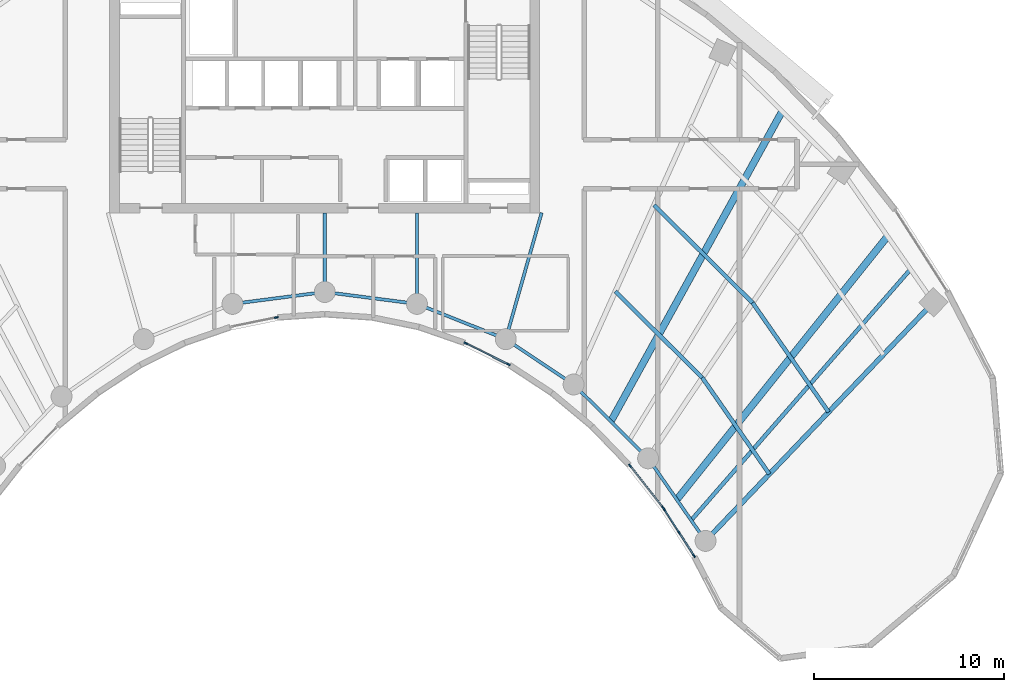
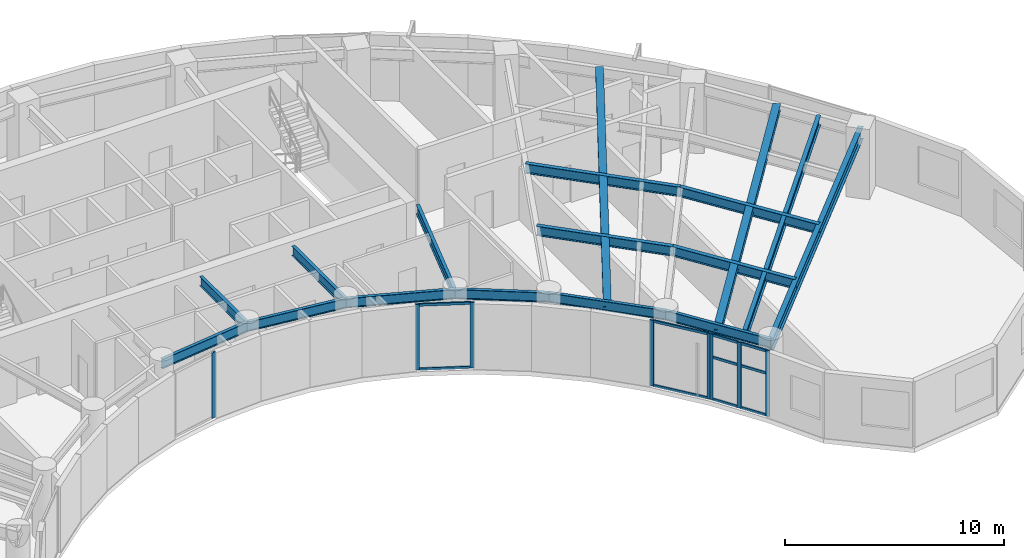
# One storey, part 3 of 13: 18 members, 17 beams, 4 elements without a shape of their own.
"""IFC4 building model written with IfcOpenShell, lengths in metres."""

from ifc_helpers import new_model, si_unit, direction, frame, origin, origin_2d, place, context, subcontext, project, spatial, rectangle, i_section, extrude, source, transform, mapped, material, layer, layer_set, material_profile, profile_set, type_object, type_shapes, element, aggregate, save


model = new_model("IFC4")

# Units and contexts
model_context = context("Model", 3, precision=1e-05, world=origin(), true_north=direction((0.0, 1.0)))
body_context = subcontext(model_context, "Body", "Model", "MODEL_VIEW")
ifc_project = project(units=[si_unit("LENGTHUNIT", "METRE"), si_unit("AREAUNIT", "SQUARE_METRE"), si_unit("VOLUMEUNIT", "CUBIC_METRE"), si_unit("PLANEANGLEUNIT", "RADIAN"), si_unit("MASSUNIT", "GRAM", prefix="KILO")], contexts=[model_context])

# Site, building, storey
site_placement = place(None, origin())
site = spatial("IfcSite", under=ifc_project, at=site_placement, CompositionType="ELEMENT")
building_placement = place(site_placement, origin())
building = spatial("IfcBuilding", under=site, at=building_placement, Name="Breltana Convention Tower", CompositionType="ELEMENT")
storey_placement = place(building_placement, frame((0.0, 0.0, 181.800048828125)))
storey = spatial("IfcBuildingStorey", under=building, at=storey_placement, Name="L44", CompositionType="ELEMENT", Elevation=181.800048828125)

# Beams
ifc_material_1 = material(Name="Steel ASTM A992 Grade 50", Category="steel")
ifc_material_profile_1 = material_profile(ifc_material_1, i_section(OverallWidth=0.2099609375, OverallDepth=0.537109375, WebThickness=0.010986328125, FlangeThickness=0.017333984375, at=origin_2d()), Name="W21X68")
ifc_profile_set_1 = profile_set([ifc_material_profile_1], Name="Steel ASTM A992 Grade 50")
beam_type_1 = type_object("IfcBeamType", Name="BM-JSG-04", PredefinedType="JOIST", material=ifc_profile_set_1)
shared_shape_1 = source(origin(), body_context, "Body", "SweptSolid", [
    extrude(i_section(OverallWidth=0.2099609375, OverallDepth=0.537109375, WebThickness=0.010986328125, FlangeThickness=0.017333984375, at=origin_2d()), origin(), (0.0, 0.0, 1.0), 6.435302734375),
])
beam_1_placement = place(storey_placement, frame((63.27392578125, 56.06298828125, 3.38134765625), z_axis=(0.710116389828, -0.704084308089, 0.0), x_axis=(0.704084308089, 0.710116389828, 0.0)))
element("IfcBeam", 1, at=beam_1_placement, inside=storey, type_object=beam_type_1, Name="L44 Composite Floor Joist 09.1", PredefinedType="JOIST", context=body_context, shape_type="MappedRepresentation", body=[
    mapped(shared_shape_1, transform((0.0, 0.0, 0.0), scale=1.0)),
])
shared_shape_2 = source(origin(), body_context, "Body", "SweptSolid", [
    extrude(i_section(OverallWidth=0.2099609375, OverallDepth=0.537109375, WebThickness=0.010986328125, FlangeThickness=0.017333984375, at=origin_2d()), origin(), (0.0, 0.0, 1.0), 7.29296875),
])
beam_2_placement = place(storey_placement, frame((65.309326171875, 60.602294921875, 3.38134765625), z_axis=(0.710096551013, -0.704104316305, 0.0), x_axis=(0.704104316305, 0.710096551013, 0.0)))
element("IfcBeam", 2, at=beam_2_placement, inside=storey, type_object=beam_type_1, Name="L44 Composite Floor Joist 09.2", PredefinedType="JOIST", context=body_context, shape_type="MappedRepresentation", body=[
    mapped(shared_shape_2, transform((0.0, 0.0, 0.0), scale=1.0)),
])
ifc_material_profile_2 = material_profile(ifc_material_1, i_section(OverallWidth=0.368896484375, OverallDepth=0.35595703125, WebThickness=0.01123046875, FlangeThickness=0.01806640625, at=origin_2d()), Name="W14X90")
ifc_profile_set_2 = profile_set([ifc_material_profile_2], Name="Steel ASTM A992 Grade 50")
beam_type_2 = type_object("IfcBeamType", Name="BM-JSG-09", PredefinedType="JOIST", material=ifc_profile_set_2)
shared_shape_3 = source(origin(), body_context, "Body", "SweptSolid", [
    extrude(i_section(OverallWidth=0.368896484375, OverallDepth=0.35595703125, WebThickness=0.01123046875, FlangeThickness=0.01806640625, at=origin_2d()), origin(), (0.0, 0.0, 1.0), 18.617431640625),
])
beam_3_placement = place(storey_placement, frame((63.038818359375, 49.234130859375, 3.471923828125), z_axis=(0.483405602507, 0.875396495004, 0.0), x_axis=(-0.875396495004, 0.483405602507, 0.0)))
element("IfcBeam", 3, at=beam_3_placement, inside=storey, type_object=beam_type_2, Name="L44 Mid-Bay Radial Trimmer 09", PredefinedType="JOIST", context=body_context, shape_type="MappedRepresentation", body=[
    mapped(shared_shape_3, transform((0.0, 0.0, 0.0), scale=1.0)),
])
shared_shape_4 = source(origin(), body_context, "Body", "SweptSolid", [
    extrude(i_section(OverallWidth=0.2099609375, OverallDepth=0.537109375, WebThickness=0.010986328125, FlangeThickness=0.017333984375, at=origin_2d()), origin(), (0.0, 0.0, 1.0), 6.172119140625),
])
beam_4_placement = place(storey_placement, frame((67.84375, 51.531982421875, 3.38134765625), z_axis=(0.571211663392, -0.820802799462, 0.0), x_axis=(0.820802799462, 0.571211663392, 0.0)))
element("IfcBeam", 4, at=beam_4_placement, inside=storey, type_object=beam_type_1, Name="L44 Composite Floor Joist 10.1", PredefinedType="JOIST", context=body_context, shape_type="MappedRepresentation", body=[
    mapped(shared_shape_4, transform((0.0, 0.0, 0.0), scale=1.0)),
])
shared_shape_5 = source(origin(), body_context, "Body", "SweptSolid", [
    extrude(i_section(OverallWidth=0.2099609375, OverallDepth=0.537109375, WebThickness=0.010986328125, FlangeThickness=0.017333984375, at=origin_2d()), origin(), (0.0, 0.0, 1.0), 6.99462890625),
])
beam_5_placement = place(storey_placement, frame((70.488037109375, 55.46728515625, 3.38134765625), z_axis=(0.571206630732, -0.820806301759, 0.0), x_axis=(0.820806301759, 0.571206630732, 0.0)))
element("IfcBeam", 5, at=beam_5_placement, inside=storey, type_object=beam_type_1, Name="L44 Composite Floor Joist 10.2", PredefinedType="JOIST", context=body_context, shape_type="MappedRepresentation", body=[
    mapped(shared_shape_5, transform((0.0, 0.0, 0.0), scale=1.0)),
])
shared_shape_6 = source(origin(), body_context, "Body", "SweptSolid", [
    extrude(i_section(OverallWidth=0.368896484375, OverallDepth=0.35595703125, WebThickness=0.01123046875, FlangeThickness=0.01806640625, at=origin_2d()), origin(), (0.0, 0.0, 1.0), 17.7236328125),
])
beam_6_placement = place(storey_placement, frame((66.505615234375, 45.124267578125, 3.471923828125), z_axis=(0.624829427563, 0.78076128647, 0.0), x_axis=(-0.78076128647, 0.624829427563, 0.0)))
element("IfcBeam", 6, at=beam_6_placement, inside=storey, type_object=beam_type_2, Name="L44 Mid-Bay Radial Trimmer 10", PredefinedType="JOIST", context=body_context, shape_type="MappedRepresentation", body=[
    mapped(shared_shape_6, transform((0.0, 0.0, 0.0), scale=1.0)),
])
shared_shape_7 = source(origin(), body_context, "Body", "SweptSolid", [
    extrude(i_section(OverallWidth=0.2099609375, OverallDepth=0.537109375, WebThickness=0.010986328125, FlangeThickness=0.017333984375, at=origin_2d()), origin(), (0.0, 0.0, 1.0), 17.515625),
])
beam_7_placement = place(storey_placement, frame((67.260498046875, 44.03955078125, 3.38134765625), z_axis=(0.658051548324, 0.752972881151, 0.0), x_axis=(-0.752972881151, 0.658051548324, 0.0)))
element("IfcBeam", 7, at=beam_7_placement, inside=storey, type_object=beam_type_1, Name="L44 Quarter-Bay Radial Trimmer 10", PredefinedType="JOIST", context=body_context, shape_type="MappedRepresentation", body=[
    mapped(shared_shape_7, transform((0.0, 0.0, 0.0), scale=1.0)),
])
ifc_material_profile_3 = material_profile(ifc_material_1, i_section(OverallWidth=0.25390625, OverallDepth=0.68798828125, WebThickness=0.01318359375, FlangeThickness=0.02099609375, at=origin_2d()), Name="W27X102")
ifc_profile_set_3 = profile_set([ifc_material_profile_3], Name="Steel ASTM A992 Grade 50")
beam_type_3 = type_object("IfcBeamType", Name="BM-RG-W27X102", PredefinedType="USERDEFINED", material=ifc_profile_set_3)
shared_shape_8 = source(origin(), body_context, "Body", "SweptSolid", [
    extrude(i_section(OverallWidth=0.25390625, OverallDepth=0.68798828125, WebThickness=0.01318359375, FlangeThickness=0.02099609375, at=origin_2d()), origin(), (0.0, 0.0, 1.0), 17.341064453125),
])
type_shapes(beam_type_3, [shared_shape_8])
beam_8_placement = place(storey_placement, frame((68.015380859375, 42.95458984375, 3.305908203125), z_axis=(0.690716462293, 0.723125693581, 0.0), x_axis=(-0.723125693581, 0.690716462293, 0.0)))
element("IfcBeam", 8, at=beam_8_placement, inside=storey, type_object=beam_type_3, Name="L44 Radial Floor Girder R11", ObjectType="GIRDER", PredefinedType="USERDEFINED", context=body_context, shape_type="MappedRepresentation", body=[
    mapped(shared_shape_8, transform((0.0, 0.0, 0.0), scale=1.0)),
])
ifc_material_profile_4 = material_profile(ifc_material_1, i_section(OverallWidth=0.166015625, OverallDepth=0.534912109375, WebThickness=0.01025390625, FlangeThickness=0.0166015625, at=origin_2d()), Name="W21X57")
ifc_profile_set_4 = profile_set([ifc_material_profile_4], Name="Steel ASTM A992 Grade 50")
beam_type_4 = type_object("IfcBeamType", Name="BM-BM-W21X57", PredefinedType="BEAM", material=ifc_profile_set_4)
shared_shape_9 = source(origin(), body_context, "Body", "SweptSolid", [
    extrude(i_section(OverallWidth=0.166015625, OverallDepth=0.534912109375, WebThickness=0.01025390625, FlangeThickness=0.0166015625, at=origin_2d()), origin(), (0.0, 0.0, 1.0), 6.904541015625),
])
type_shapes(beam_type_4, [shared_shape_9])
beam_9_placement = place(storey_placement, frame((59.39990234375, 60.199951171875, 3.382568359375), z_axis=(-0.273006781054, -0.962012108811, 0.0), x_axis=(0.962012108811, -0.273006781054, 0.0)))
element("IfcBeam", 9, at=beam_9_placement, inside=storey, type_object=beam_type_4, Name="L44 South Core Tie Girder R08", PredefinedType="BEAM", context=body_context, shape_type="MappedRepresentation", body=[
    mapped(shared_shape_9, transform((0.0, 0.0, 0.0), scale=1.0)),
])
shared_shape_10 = source(origin(), body_context, "Body", "SweptSolid", [
    extrude(i_section(OverallWidth=0.166015625, OverallDepth=0.534912109375, WebThickness=0.01025390625, FlangeThickness=0.0166015625, at=origin_2d()), origin(), (0.0, 0.0, 1.0), 4.789306640625),
])
beam_10_placement = place(storey_placement, frame((52.846435546875, 60.199951171875, 3.382568359375), z_axis=(0.0, -1.0, 0.0), x_axis=(1.0, 0.0, 0.0)))
element("IfcBeam", 10, at=beam_10_placement, inside=storey, type_object=beam_type_4, Name="L44 South Core Tie Girder R07", PredefinedType="BEAM", context=body_context, shape_type="MappedRepresentation", body=[
    mapped(shared_shape_10, transform((0.0, 0.0, 0.0), scale=1.0)),
])
shared_shape_11 = source(origin(), body_context, "Body", "SweptSolid", [
    extrude(i_section(OverallWidth=0.166015625, OverallDepth=0.534912109375, WebThickness=0.01025390625, FlangeThickness=0.0166015625, at=origin_2d()), origin(), (0.0, 0.0, 1.0), 4.1640625),
])
beam_11_placement = place(storey_placement, frame((48.0, 60.199951171875, 3.382568359375), z_axis=(0.0, -1.0, 0.0), x_axis=(1.0, 0.0, 0.0)))
element("IfcBeam", 11, at=beam_11_placement, inside=storey, type_object=beam_type_4, Name="L44 South Core Tie Girder R06", PredefinedType="BEAM", context=body_context, shape_type="MappedRepresentation", body=[
    mapped(shared_shape_11, transform((0.0, 0.0, 0.0), scale=1.0)),
])
shared_shape_12 = source(origin(), body_context, "Body", "SweptSolid", [
    extrude(i_section(OverallWidth=0.166015625, OverallDepth=0.534912109375, WebThickness=0.01025390625, FlangeThickness=0.0166015625, at=origin_2d()), origin(), (0.0, 0.0, 1.0), 5.022705078125),
])
beam_12_placement = place(storey_placement, frame((52.846435546875, 55.41064453125, 3.382568359375), z_axis=(0.929458966248, -0.368925507469, 0.0), x_axis=(0.368925507469, 0.929458966248, 0.0)))
element("IfcBeam", 12, at=beam_12_placement, inside=storey, type_object=beam_type_4, Name="L44 Inner Ring Beam 07", PredefinedType="BEAM", context=body_context, shape_type="MappedRepresentation", body=[
    mapped(shared_shape_12, transform((0.0, 0.0, 0.0), scale=1.0)),
])
shared_shape_13 = source(origin(), body_context, "Body", "SweptSolid", [
    extrude(i_section(OverallWidth=0.166015625, OverallDepth=0.534912109375, WebThickness=0.01025390625, FlangeThickness=0.0166015625, at=origin_2d()), origin(), (0.0, 0.0, 1.0), 4.88671875),
])
for number, where, z_axis, x_axis, name in (
    (13, (43.153564453125, 55.41064453125, 3.382568359375), (0.991780525565, 0.127950729231, 0.0), (-0.127950729231, 0.991780525565, 0.0), "L44 Inner Ring Beam 05"),
    (14, (48.0, 56.035888671875, 3.382568359375), (0.991780525565, -0.127950729231, 0.0), (0.127950729231, 0.991780525565, 0.0), "L44 Inner Ring Beam 06"),
):
    element("IfcBeam", number, at=place(storey_placement, frame(where, z_axis=z_axis, x_axis=x_axis)), inside=storey, type_object=beam_type_4, Name=name, PredefinedType="BEAM", context=body_context, shape_type="MappedRepresentation", body=[
        mapped(shared_shape_13, transform((0.0, 0.0, 0.0), scale=1.0)),
    ])
shared_shape_14 = source(origin(), body_context, "Body", "SweptSolid", [
    extrude(i_section(OverallWidth=0.166015625, OverallDepth=0.534912109375, WebThickness=0.01025390625, FlangeThickness=0.0166015625, at=origin_2d()), origin(), (0.0, 0.0, 1.0), 4.2900390625),
])
beam_13_placement = place(storey_placement, frame((57.514892578125, 53.5576171875, 3.382568359375), z_axis=(0.831515827753, -0.555501060482, 0.0), x_axis=(0.555501060482, 0.831515827753, 0.0)))
element("IfcBeam", 15, at=beam_13_placement, inside=storey, type_object=beam_type_4, Name="L44 Inner Ring Beam 08", PredefinedType="BEAM", context=body_context, shape_type="MappedRepresentation", body=[
    mapped(shared_shape_14, transform((0.0, 0.0, 0.0), scale=1.0)),
])
shared_shape_15 = source(origin(), body_context, "Body", "SweptSolid", [
    extrude(i_section(OverallWidth=0.166015625, OverallDepth=0.534912109375, WebThickness=0.01025390625, FlangeThickness=0.0166015625, at=origin_2d()), origin(), (0.0, 0.0, 1.0), 5.51171875),
])
beam_14_placement = place(storey_placement, frame((61.08203125, 51.174560546875, 3.382568359375), z_axis=(0.710090360749, -0.704110559196, 0.0), x_axis=(0.704110559196, 0.710090360749, 0.0)))
element("IfcBeam", 16, at=beam_14_placement, inside=storey, type_object=beam_type_4, Name="L44 Inner Ring Beam 09", PredefinedType="BEAM", context=body_context, shape_type="MappedRepresentation", body=[
    mapped(shared_shape_15, transform((0.0, 0.0, 0.0), scale=1.0)),
])
shared_shape_16 = source(origin(), body_context, "Body", "SweptSolid", [
    extrude(i_section(OverallWidth=0.166015625, OverallDepth=0.534912109375, WebThickness=0.01025390625, FlangeThickness=0.0166015625, at=origin_2d()), origin(), (0.0, 0.0, 1.0), 5.286376953125),
])
beam_15_placement = place(storey_placement, frame((64.995849609375, 47.293701171875, 3.382568359375), z_axis=(0.571194382458, -0.82081482531, 0.0), x_axis=(0.82081482531, 0.571194382458, 0.0)))
element("IfcBeam", 17, at=beam_15_placement, inside=storey, type_object=beam_type_4, Name="L44 Inner Ring Beam 10", PredefinedType="BEAM", context=body_context, shape_type="MappedRepresentation", body=[
    mapped(shared_shape_16, transform((0.0, 0.0, 0.0), scale=1.0)),
])

# Curtain wall, members
ifc_material_2 = material(Name="Aluminium Anodised Bronze Frame", Category="aluminium")
ifc_layer = layer(ifc_material_2, 0.18994140625, Name="Aluminium Anodised Bronze Frame")
ifc_layer_set = layer_set([ifc_layer], Name="Aluminium Anodised Bronze Frame")
curtain_wall_type = type_object("IfcCurtainWallType", Name="CW-SYS-1", PredefinedType="NOTDEFINED", material=ifc_layer_set)
curtain_wall_1_placement = place(storey_placement, origin())
curtain_wall_1 = element("IfcCurtainWall", 18, at=curtain_wall_1_placement, inside=storey, type_object=curtain_wall_type, Name="L44 inner south-court glazing 1", PredefinedType="NOTDEFINED")
ifc_material_3 = material(Name="Aluminium Anodised Bronze", Category="aluminium")
ifc_material_profile_5 = material_profile(ifc_material_3, rectangle(XDim=0.080078125, YDim=0.199951171875, at=origin_2d()), Name="CWM-80X200")
ifc_profile_set_5 = profile_set([ifc_material_profile_5], Name="Aluminium Anodised Bronze")
member_type_1 = type_object("IfcMemberType", Name="CWM-200", PredefinedType="MULLION", material=ifc_profile_set_5)
shared_shape_17 = source(origin(), body_context, "Body", "SweptSolid", [
    extrude(rectangle(XDim=0.080078125, YDim=0.199951171875, at=origin_2d()), origin(), (0.0, 0.0, 1.0), 3.64990234375),
])
member_1_placement = place(storey_placement, frame((67.40966796875, 42.17041015625, 0.0), z_axis=(0.0, 0.0, 1.0), x_axis=(-0.841546744491, -0.540184298954, 0.0)))
member_1 = element("IfcMember", 19, at=member_1_placement, type_object=member_type_1, Name="CW-01 mullion 1", PredefinedType="MULLION", context=body_context, shape_type="MappedRepresentation", body=[
    mapped(shared_shape_17, transform((0.0, 0.0, 0.0), scale=1.0)),
])
member_2_placement = place(storey_placement, frame((66.626220703125, 43.390869140625, 0.0), z_axis=(0.0, 0.0, 1.0), x_axis=(-0.841546744491, -0.540184298954, 0.0)))
member_2 = element("IfcMember", 20, at=member_2_placement, type_object=member_type_1, Name="CW-01 mullion 2", PredefinedType="MULLION", context=body_context, shape_type="MappedRepresentation", body=[
    mapped(shared_shape_17, transform((0.0, 0.0, 0.0), scale=1.0)),
])
member_3_placement = place(storey_placement, frame((65.843017578125, 44.611328125, 0.0), z_axis=(0.0, 0.0, 1.0), x_axis=(-0.841546744491, -0.540184298954, 0.0)))
member_3 = element("IfcMember", 21, at=member_3_placement, type_object=member_type_1, Name="CW-01 mullion 3", PredefinedType="MULLION", context=body_context, shape_type="MappedRepresentation", body=[
    mapped(shared_shape_17, transform((0.0, 0.0, 0.0), scale=1.0)),
])

curtain_wall_2_placement = place(storey_placement, origin())
curtain_wall_2 = element("IfcCurtainWall", 22, at=curtain_wall_2_placement, inside=storey, type_object=curtain_wall_type, Name="L44 inner south-court glazing 2", PredefinedType="NOTDEFINED")
member_4_placement = place(storey_placement, frame((65.78662109375, 44.6904296875, 0.0), z_axis=(0.0, 0.0, 1.0), x_axis=(-0.786051168431, -0.618161435717, 0.0)))
member_4 = element("IfcMember", 23, at=member_4_placement, type_object=member_type_1, Name="CW-01 mullion 1", PredefinedType="MULLION", context=body_context, shape_type="MappedRepresentation", body=[
    mapped(shared_shape_17, transform((0.0, 0.0, 0.0), scale=1.0)),
])
member_5_placement = place(storey_placement, frame((64.045166015625, 46.905029296875, 0.0), z_axis=(0.0, 0.0, 1.0), x_axis=(-0.786051168431, -0.618161435717, 0.0)))
member_5 = element("IfcMember", 24, at=member_5_placement, type_object=member_type_1, Name="CW-01 mullion 2", PredefinedType="MULLION", context=body_context, shape_type="MappedRepresentation", body=[
    mapped(shared_shape_17, transform((0.0, 0.0, 0.0), scale=1.0)),
])

curtain_wall_3_placement = place(storey_placement, origin())
curtain_wall_3 = element("IfcCurtainWall", 25, at=curtain_wall_3_placement, inside=storey, type_object=curtain_wall_type, Name="L44 inner south-court glazing 3", PredefinedType="NOTDEFINED")
member_6_placement = place(storey_placement, frame((57.65625, 52.23095703125, 0.0), z_axis=(0.0, 0.0, 1.0), x_axis=(-0.444115496562, -0.895969545082, 0.0)))
member_6 = element("IfcMember", 26, at=member_6_placement, type_object=member_type_1, Name="CW-01 mullion 1", PredefinedType="MULLION", context=body_context, shape_type="MappedRepresentation", body=[
    mapped(shared_shape_17, transform((0.0, 0.0, 0.0), scale=1.0)),
])
member_7_placement = place(storey_placement, frame((55.412353515625, 53.34326171875, 0.0), z_axis=(0.0, 0.0, 1.0), x_axis=(-0.444115496562, -0.895969545082, 0.0)))
member_7 = element("IfcMember", 27, at=member_7_placement, type_object=member_type_1, Name="CW-01 mullion 2", PredefinedType="MULLION", context=body_context, shape_type="MappedRepresentation", body=[
    mapped(shared_shape_17, transform((0.0, 0.0, 0.0), scale=1.0)),
])

# Curtain wall, member
curtain_wall_4_placement = place(storey_placement, origin())
curtain_wall_4 = element("IfcCurtainWall", 28, at=curtain_wall_4_placement, inside=storey, type_object=curtain_wall_type, Name="L44 inner south-court glazing 4", PredefinedType="NOTDEFINED")
member_8_placement = place(storey_placement, frame((45.458740234375, 54.69677734375, 0.0), z_axis=(0.0, 0.0, 1.0), x_axis=(0.200861178299, -0.979619715529, 0.0)))
member_8 = element("IfcMember", 29, at=member_8_placement, type_object=member_type_1, Name="CW-01 mullion 1", PredefinedType="MULLION", context=body_context, shape_type="MappedRepresentation", body=[
    mapped(shared_shape_17, transform((0.0, 0.0, 0.0), scale=1.0)),
])
aggregate(curtain_wall_4, [member_8])

# Member
ifc_material_profile_6 = material_profile(ifc_material_3, rectangle(XDim=0.080078125, YDim=0.139892578125, at=origin_2d()), Name="CWT-80X140")
ifc_profile_set_6 = profile_set([ifc_material_profile_6], Name="Aluminium Anodised Bronze")
member_type_2 = type_object("IfcMemberType", Name="CWT-140", PredefinedType="USERDEFINED", material=ifc_profile_set_6)
shared_shape_18 = source(origin(), body_context, "Body", "SweptSolid", [
    extrude(rectangle(XDim=0.080078125, YDim=0.139892578125, at=origin_2d()), origin(), (0.0, 0.0, 1.0), 1.3701171875),
])
member_9_placement = place(storey_placement, frame((67.38818359375, 42.2041015625, 0.0400390625), z_axis=(-0.540226175019, 0.841519863, 0.0), x_axis=(-0.841519863, -0.540226175019, 0.0)))
member_9 = element("IfcMember", 30, at=member_9_placement, type_object=member_type_2, Name="CW-01 transom 1.1", ObjectType="TRANSOM", PredefinedType="USERDEFINED", context=body_context, shape_type="MappedRepresentation", body=[
    mapped(shared_shape_18, transform((0.0, 0.0, 0.0), scale=1.0)),
])

member_10_placement = place(storey_placement, frame((67.38818359375, 42.2041015625, 2.37255859375), z_axis=(-0.540226175019, 0.841519863, 0.0), x_axis=(-0.841519863, -0.540226175019, 0.0)))
member_10 = element("IfcMember", 31, at=member_10_placement, type_object=member_type_2, Name="CW-01 transom 1.2", ObjectType="TRANSOM", PredefinedType="USERDEFINED", context=body_context, shape_type="MappedRepresentation", body=[
    mapped(shared_shape_18, transform((0.0, 0.0, 0.0), scale=1.0)),
])

member_11_placement = place(storey_placement, frame((67.38818359375, 42.2041015625, 3.60986328125), z_axis=(-0.540226175019, 0.841519863, 0.0), x_axis=(-0.841519863, -0.540226175019, 0.0)))
member_11 = element("IfcMember", 32, at=member_11_placement, type_object=member_type_2, Name="CW-01 transom 1.3", ObjectType="TRANSOM", PredefinedType="USERDEFINED", context=body_context, shape_type="MappedRepresentation", body=[
    mapped(shared_shape_18, transform((0.0, 0.0, 0.0), scale=1.0)),
])

member_12_placement = place(storey_placement, frame((66.604736328125, 43.424560546875, 0.0400390625), z_axis=(-0.540226175019, 0.841519863, 0.0), x_axis=(-0.841519863, -0.540226175019, 0.0)))
member_12 = element("IfcMember", 33, at=member_12_placement, type_object=member_type_2, Name="CW-01 transom 2.1", ObjectType="TRANSOM", PredefinedType="USERDEFINED", context=body_context, shape_type="MappedRepresentation", body=[
    mapped(shared_shape_18, transform((0.0, 0.0, 0.0), scale=1.0)),
])

member_13_placement = place(storey_placement, frame((66.604736328125, 43.424560546875, 2.37255859375), z_axis=(-0.540226175019, 0.841519863, 0.0), x_axis=(-0.841519863, -0.540226175019, 0.0)))
member_13 = element("IfcMember", 34, at=member_13_placement, type_object=member_type_2, Name="CW-01 transom 2.2", ObjectType="TRANSOM", PredefinedType="USERDEFINED", context=body_context, shape_type="MappedRepresentation", body=[
    mapped(shared_shape_18, transform((0.0, 0.0, 0.0), scale=1.0)),
])

member_14_placement = place(storey_placement, frame((66.604736328125, 43.424560546875, 3.60986328125), z_axis=(-0.540226175019, 0.841519863, 0.0), x_axis=(-0.841519863, -0.540226175019, 0.0)))
member_14 = element("IfcMember", 35, at=member_14_placement, type_object=member_type_2, Name="CW-01 transom 2.3", ObjectType="TRANSOM", PredefinedType="USERDEFINED", context=body_context, shape_type="MappedRepresentation", body=[
    mapped(shared_shape_18, transform((0.0, 0.0, 0.0), scale=1.0)),
])

aggregate(curtain_wall_1, [member_1, member_2, member_3, member_9, member_10, member_11, member_12, member_13, member_14])

shared_shape_19 = source(origin(), body_context, "Body", "SweptSolid", [
    extrude(rectangle(XDim=0.080078125, YDim=0.139892578125, at=origin_2d()), origin(), (0.0, 0.0, 1.0), 2.7373046875),
])
member_15_placement = place(storey_placement, frame((65.761962890625, 44.721923828125, 0.0400390625), z_axis=(-0.618179938224, 0.786036617453, 0.0), x_axis=(-0.786036617453, -0.618179938224, 0.0)))
member_15 = element("IfcMember", 36, at=member_15_placement, type_object=member_type_2, Name="CW-01 transom 1.1", ObjectType="TRANSOM", PredefinedType="USERDEFINED", context=body_context, shape_type="MappedRepresentation", body=[
    mapped(shared_shape_19, transform((0.0, 0.0, 0.0), scale=1.0)),
])

member_16_placement = place(storey_placement, frame((65.761962890625, 44.721923828125, 3.60986328125), z_axis=(-0.618179938224, 0.786036617453, 0.0), x_axis=(-0.786036617453, -0.618179938224, 0.0)))
member_16 = element("IfcMember", 37, at=member_16_placement, type_object=member_type_2, Name="CW-01 transom 1.2", ObjectType="TRANSOM", PredefinedType="USERDEFINED", context=body_context, shape_type="MappedRepresentation", body=[
    mapped(shared_shape_19, transform((0.0, 0.0, 0.0), scale=1.0)),
])

aggregate(curtain_wall_2, [member_4, member_5, member_15, member_16])

shared_shape_20 = source(origin(), body_context, "Body", "SweptSolid", [
    extrude(rectangle(XDim=0.080078125, YDim=0.139892578125, at=origin_2d()), origin(), (0.0, 0.0, 1.0), 2.42431640625),
])
member_17_placement = place(storey_placement, frame((57.620361328125, 52.248779296875, 0.0400390625), z_axis=(-0.895932597015, 0.44419002871, 0.0), x_axis=(-0.44419002871, -0.895932597015, 0.0)))
member_17 = element("IfcMember", 38, at=member_17_placement, type_object=member_type_2, Name="CW-01 transom 1.1", ObjectType="TRANSOM", PredefinedType="USERDEFINED", context=body_context, shape_type="MappedRepresentation", body=[
    mapped(shared_shape_20, transform((0.0, 0.0, 0.0), scale=1.0)),
])

member_18_placement = place(storey_placement, frame((57.620361328125, 52.248779296875, 3.60986328125), z_axis=(-0.895932597015, 0.44419002871, 0.0), x_axis=(-0.44419002871, -0.895932597015, 0.0)))
member_18 = element("IfcMember", 39, at=member_18_placement, type_object=member_type_2, Name="CW-01 transom 1.2", ObjectType="TRANSOM", PredefinedType="USERDEFINED", context=body_context, shape_type="MappedRepresentation", body=[
    mapped(shared_shape_20, transform((0.0, 0.0, 0.0), scale=1.0)),
])

aggregate(curtain_wall_3, [member_6, member_7, member_17, member_18])

save(model, "model.ifc")
